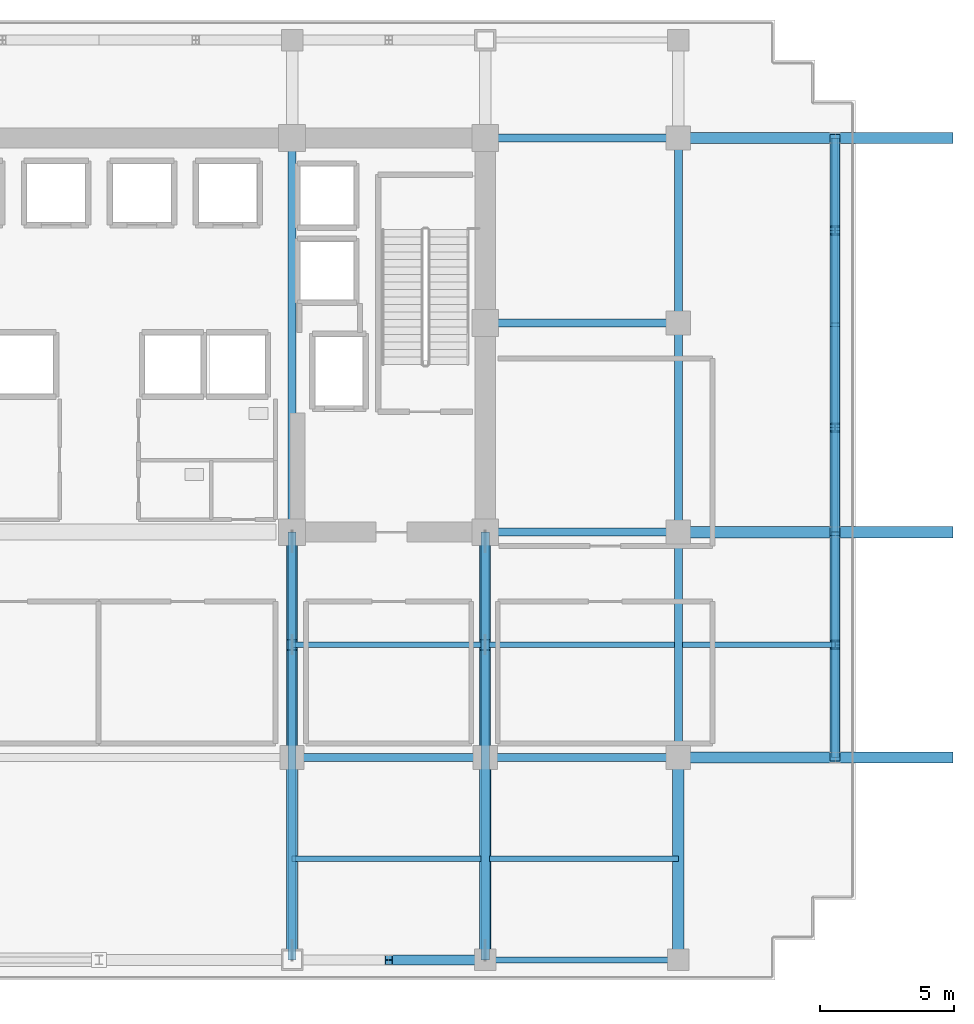
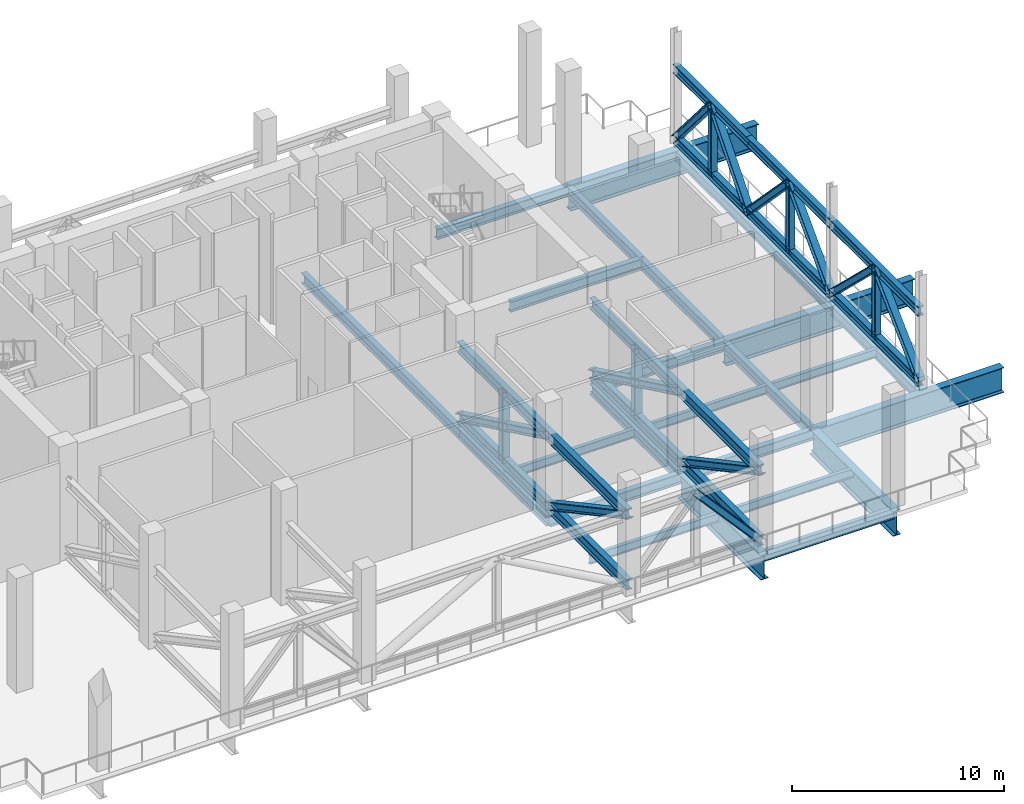
# One storey, part 4 of 15: 26 members, 24 beams.
"""IFC4 building model written with IfcOpenShell, lengths in metres."""

from ifc_helpers import new_model, si_unit, direction, frame, origin, origin_2d, place, context, subcontext, project, spatial, i_section, extrude, source, transform, mapped, material, material_profile, profile_set, type_object, element, save


model = new_model("IFC4")

# Units and contexts
model_context = context("Model", 3, precision=1e-05, world=origin(), true_north=direction((0.0, 1.0)))
body_context = subcontext(model_context, "Body", "Model", "MODEL_VIEW")
ifc_project = project(units=[si_unit("LENGTHUNIT", "METRE"), si_unit("AREAUNIT", "SQUARE_METRE"), si_unit("VOLUMEUNIT", "CUBIC_METRE"), si_unit("PLANEANGLEUNIT", "RADIAN"), si_unit("MASSUNIT", "GRAM", prefix="KILO")], contexts=[model_context])

# Site, building, storey
site_placement = place(None, origin())
site = spatial("IfcSite", under=ifc_project, at=site_placement, CompositionType="ELEMENT")
building_placement = place(site_placement, origin())
building = spatial("IfcBuilding", under=site, at=building_placement, Name="Zarnakvel Exchange Tower", CompositionType="ELEMENT")
storey_placement = place(building_placement, frame((0.0, 0.0, 80.199951171875)))
storey = spatial("IfcBuildingStorey", under=building, at=storey_placement, Name="L22", CompositionType="ELEMENT", Elevation=80.199951171875)

# Beams
ifc_material_1 = material(Name="Steel S355", Category="steel")
ifc_material_profile_1 = material_profile(ifc_material_1, i_section(OverallWidth=0.199951171875, OverallDepth=0.5, WebThickness=0.01025390625, FlangeThickness=0.01611328125, FilletRadius=0.02099609375, at=origin_2d()))
ifc_profile_set_1 = profile_set([ifc_material_profile_1], Name="Steel S355")
beam_type_1 = type_object("IfcBeamType", Name="B-04", PredefinedType="JOIST", material=ifc_profile_set_1)
for number, where, z_axis, x_axis, name in (
    (1, (7.199951171875, -13.375, -0.5), (1.0, 0.0, 0.0), (0.0, 1.0, 0.0), "L22 Composite Floor Secondary Joist"),
    (2, (14.554931640625, -13.375, -0.5), (1.0, 0.0, 0.0), (0.0, 1.0, 0.0), "L22 Composite Floor Secondary Joist"),
):
    element("IfcBeam", number, at=place(storey_placement, frame(where, z_axis=z_axis, x_axis=x_axis)), inside=storey, type_object=beam_type_1, Name=name, PredefinedType="JOIST", context=body_context, shape_type="SweptSolid", body=[
        extrude(i_section(OverallWidth=0.199951171875, OverallDepth=0.5, WebThickness=0.01025390625, FlangeThickness=0.01611328125, FilletRadius=0.02099609375, at=origin_2d()), origin(), (0.0, 0.0, 1.0), 7.045166015625),
    ])
beam_1_placement = place(storey_placement, frame((7.199951171875, -5.39990234375, -0.5), z_axis=(1.0, 0.0, 0.0), x_axis=(0.0, 1.0, 0.0)))
element("IfcBeam", 3, at=beam_1_placement, inside=storey, type_object=beam_type_1, Name="L22 Composite Floor Secondary Joist", PredefinedType="JOIST", context=body_context, shape_type="SweptSolid", body=[
    extrude(i_section(OverallWidth=0.199951171875, OverallDepth=0.5, WebThickness=0.01025390625, FlangeThickness=0.01611328125, FilletRadius=0.02099609375, at=origin_2d()), origin(), (0.0, 0.0, 1.0), 7.050048828125),
])
beam_2_placement = place(storey_placement, frame((14.550048828125, -5.39990234375, -0.5), z_axis=(1.0, 0.0, 0.0), x_axis=(0.0, 1.0, 0.0)))
element("IfcBeam", 4, at=beam_2_placement, inside=storey, type_object=beam_type_1, Name="L22 Composite Floor Secondary Joist", PredefinedType="JOIST", context=body_context, shape_type="SweptSolid", body=[
    extrude(i_section(OverallWidth=0.199951171875, OverallDepth=0.5, WebThickness=0.01025390625, FlangeThickness=0.01611328125, FilletRadius=0.02099609375, at=origin_2d()), origin(), (0.0, 0.0, 1.0), 6.89990234375),
])
beam_3_placement = place(storey_placement, frame((21.75, -5.39990234375, -0.5), z_axis=(1.0, 0.0, 0.0), x_axis=(0.0, 1.0, 0.0)))
element("IfcBeam", 5, at=beam_3_placement, inside=storey, type_object=beam_type_1, Name="L22 Composite Floor Secondary Joist", PredefinedType="JOIST", context=body_context, shape_type="SweptSolid", body=[
    extrude(i_section(OverallWidth=0.199951171875, OverallDepth=0.5, WebThickness=0.01025390625, FlangeThickness=0.01611328125, FilletRadius=0.02099609375, at=origin_2d()), origin(), (0.0, 0.0, 1.0), 5.699951171875),
])
ifc_material_profile_2 = material_profile(ifc_material_1, i_section(OverallWidth=0.300048828125, OverallDepth=0.60009765625, WebThickness=0.015380859375, FlangeThickness=0.030029296875, FilletRadius=0.027099609375, at=origin_2d()))
ifc_profile_set_2 = profile_set([ifc_material_profile_2], Name="Steel S355")
beam_type_2 = type_object("IfcBeamType", Name="G-04", PredefinedType="BEAM", material=ifc_profile_set_2)
beam_4_placement = place(storey_placement, frame((7.199951171875, -9.60009765625, -0.550048828125), z_axis=(1.0, 0.0, 0.0), x_axis=(0.0, 1.0, 0.0)))
element("IfcBeam", 6, at=beam_4_placement, inside=storey, type_object=beam_type_2, Name="L22 Tower E-W Frame Beam", PredefinedType="BEAM", context=body_context, shape_type="SweptSolid", body=[
    extrude(i_section(OverallWidth=0.300048828125, OverallDepth=0.60009765625, WebThickness=0.015380859375, FlangeThickness=0.030029296875, FilletRadius=0.027099609375, at=origin_2d()), origin(), (0.0, 0.0, 1.0), 7.199951171875),
])
for number, where, z_axis, x_axis, name in (
    (7, (14.39990234375, -9.60009765625, -0.550048828125), (1.0, 0.0, 0.0), (0.0, 1.0, 0.0), "L22 Tower E-W Frame Beam"),
    (8, (14.39990234375, -1.199951171875, -0.550048828125), (1.0, 0.0, 0.0), (0.0, 1.0, 0.0), "L22 Tower E-W Frame Beam"),
    (9, (14.39990234375, 6.60009765625, -0.550048828125), (1.0, 0.0, 0.0), (0.0, 1.0, 0.0), "L22 Tower E-W Frame Beam"),
    (10, (14.39990234375, 13.5, -0.550048828125), (1.0, 0.0, 0.0), (0.0, 1.0, 0.0), "L22 Tower E-W Frame Beam"),
):
    element("IfcBeam", number, at=place(storey_placement, frame(where, z_axis=z_axis, x_axis=x_axis)), inside=storey, type_object=beam_type_2, Name=name, PredefinedType="BEAM", context=body_context, shape_type="SweptSolid", body=[
        extrude(i_section(OverallWidth=0.300048828125, OverallDepth=0.60009765625, WebThickness=0.015380859375, FlangeThickness=0.030029296875, FilletRadius=0.027099609375, at=origin_2d()), origin(), (0.0, 0.0, 1.0), 7.2001953125),
    ])
beam_5_placement = place(storey_placement, frame((7.199951171875, -9.60009765625, -0.550048828125), z_axis=(0.0, 1.0, 0.0), x_axis=(-1.0, 0.0, 0.0)))
element("IfcBeam", 11, at=beam_5_placement, inside=storey, type_object=beam_type_2, Name="L22 Tower N-S Frame Beam", PredefinedType="BEAM", context=body_context, shape_type="SweptSolid", body=[
    extrude(i_section(OverallWidth=0.300048828125, OverallDepth=0.60009765625, WebThickness=0.015380859375, FlangeThickness=0.030029296875, FilletRadius=0.027099609375, at=origin_2d()), origin(), (0.0, 0.0, 1.0), 8.400146484375),
])
beam_6_placement = place(storey_placement, frame((7.199951171875, -1.199951171875, -0.550048828125), z_axis=(0.0, 1.0, 0.0), x_axis=(-1.0, 0.0, 0.0)))
element("IfcBeam", 12, at=beam_6_placement, inside=storey, type_object=beam_type_2, Name="L22 Tower N-S Frame Beam", PredefinedType="BEAM", context=body_context, shape_type="SweptSolid", body=[
    extrude(i_section(OverallWidth=0.300048828125, OverallDepth=0.60009765625, WebThickness=0.015380859375, FlangeThickness=0.030029296875, FilletRadius=0.027099609375, at=origin_2d()), origin(), (0.0, 0.0, 1.0), 14.699951171875),
])
for number, where, z_axis, x_axis, name in (
    (13, (14.39990234375, -9.60009765625, -0.550048828125), (0.0, 1.0, 0.0), (-1.0, 0.0, 0.0), "L22 Tower N-S Frame Beam"),
    (14, (21.60009765625, -9.60009765625, -0.550048828125), (0.0, 1.0, 0.0), (-1.0, 0.0, 0.0), "L22 Tower N-S Frame Beam"),
):
    element("IfcBeam", number, at=place(storey_placement, frame(where, z_axis=z_axis, x_axis=x_axis)), inside=storey, type_object=beam_type_2, Name=name, PredefinedType="BEAM", context=body_context, shape_type="SweptSolid", body=[
        extrude(i_section(OverallWidth=0.300048828125, OverallDepth=0.60009765625, WebThickness=0.015380859375, FlangeThickness=0.030029296875, FilletRadius=0.027099609375, at=origin_2d()), origin(), (0.0, 0.0, 1.0), 8.400146484375),
    ])
beam_7_placement = place(storey_placement, frame((21.60009765625, -1.199951171875, -0.550048828125), z_axis=(0.0, 1.0, 0.0), x_axis=(-1.0, 0.0, 0.0)))
element("IfcBeam", 15, at=beam_7_placement, inside=storey, type_object=beam_type_2, Name="L22 Tower N-S Frame Beam", PredefinedType="BEAM", context=body_context, shape_type="SweptSolid", body=[
    extrude(i_section(OverallWidth=0.300048828125, OverallDepth=0.60009765625, WebThickness=0.015380859375, FlangeThickness=0.030029296875, FilletRadius=0.027099609375, at=origin_2d()), origin(), (0.0, 0.0, 1.0), 7.800048828125),
])
beam_8_placement = place(storey_placement, frame((21.60009765625, 6.60009765625, -0.550048828125), z_axis=(0.0, 1.0, 0.0), x_axis=(-1.0, 0.0, 0.0)))
element("IfcBeam", 16, at=beam_8_placement, inside=storey, type_object=beam_type_2, Name="L22 Tower N-S Frame Beam", PredefinedType="BEAM", context=body_context, shape_type="SweptSolid", body=[
    extrude(i_section(OverallWidth=0.300048828125, OverallDepth=0.60009765625, WebThickness=0.015380859375, FlangeThickness=0.030029296875, FilletRadius=0.027099609375, at=origin_2d()), origin(), (0.0, 0.0, 1.0), 6.89990234375),
])
ifc_material_profile_3 = material_profile(ifc_material_1, i_section(OverallWidth=0.219970703125, OverallDepth=0.60009765625, WebThickness=0.011962890625, FlangeThickness=0.01904296875, FilletRadius=0.02392578125, at=origin_2d()))
ifc_profile_set_3 = profile_set([ifc_material_profile_3], Name="Steel S355")
beam_type_3 = type_object("IfcBeamType", Name="SP-01", PredefinedType="SPANDREL", material=ifc_profile_set_3)
beam_9_placement = place(storey_placement, frame((14.39990234375, -17.14990234375, -0.550048828125), z_axis=(1.0, 0.0, 0.0), x_axis=(0.0, 1.0, 0.0)))
element("IfcBeam", 17, at=beam_9_placement, inside=storey, type_object=beam_type_3, Name="L22 Tower E-W Frame Beam", PredefinedType="SPANDREL", context=body_context, shape_type="SweptSolid", body=[
    extrude(i_section(OverallWidth=0.219970703125, OverallDepth=0.60009765625, WebThickness=0.011962890625, FlangeThickness=0.01904296875, FilletRadius=0.02392578125, at=origin_2d()), origin(), (0.0, 0.0, 1.0), 7.2001953125),
])
beam_10_placement = place(storey_placement, frame((27.449951171875, -9.60009765625, -0.550048828125), z_axis=(0.0, 1.0, 0.0), x_axis=(-1.0, 0.0, 0.0)))
element("IfcBeam", 18, at=beam_10_placement, inside=storey, type_object=beam_type_3, Name="L22 Tower N-S Frame Beam", PredefinedType="SPANDREL", context=body_context, shape_type="SweptSolid", body=[
    extrude(i_section(OverallWidth=0.219970703125, OverallDepth=0.60009765625, WebThickness=0.011962890625, FlangeThickness=0.01904296875, FilletRadius=0.02392578125, at=origin_2d()), origin(), (0.0, 0.0, 1.0), 8.400146484375),
])
beam_11_placement = place(storey_placement, frame((27.449951171875, -1.199951171875, -0.550048828125), z_axis=(0.0, 1.0, 0.0), x_axis=(-1.0, 0.0, 0.0)))
element("IfcBeam", 19, at=beam_11_placement, inside=storey, type_object=beam_type_3, Name="L22 Tower N-S Frame Beam", PredefinedType="SPANDREL", context=body_context, shape_type="SweptSolid", body=[
    extrude(i_section(OverallWidth=0.219970703125, OverallDepth=0.60009765625, WebThickness=0.011962890625, FlangeThickness=0.01904296875, FilletRadius=0.02392578125, at=origin_2d()), origin(), (0.0, 0.0, 1.0), 14.699951171875),
])
ifc_material_2 = material(Name="Steel S460", Category="steel")
ifc_material_profile_4 = material_profile(ifc_material_2, i_section(OverallWidth=0.419921875, OverallDepth=1.449951171875, WebThickness=0.02392578125, FlangeThickness=0.0400390625, FilletRadius=0.030029296875, at=origin_2d()))
ifc_profile_set_4 = profile_set([ifc_material_profile_4], Name="Steel S460")
beam_type_4 = type_object("IfcBeamType", Name="TG-01", PredefinedType="BEAM", material=ifc_profile_set_4)
for number, where, z_axis, x_axis, name in (
    (20, (14.39990234375, -17.449951171875, -0.974853515625), (0.0, 1.0, 0.0), (-1.0, 0.0, 0.0), "L22 Setback N-S Transfer Girder TS-9"),
    (21, (21.60009765625, -17.449951171875, -0.974853515625), (0.0, 1.0, 0.0), (-1.0, 0.0, 0.0), "L22 Setback N-S Transfer Girder TS-10"),
):
    element("IfcBeam", number, at=place(storey_placement, frame(where, z_axis=z_axis, x_axis=x_axis)), inside=storey, type_object=beam_type_4, Name=name, PredefinedType="BEAM", context=body_context, shape_type="SweptSolid", body=[
        extrude(i_section(OverallWidth=0.419921875, OverallDepth=1.449951171875, WebThickness=0.02392578125, FlangeThickness=0.0400390625, FilletRadius=0.030029296875, at=origin_2d()), origin(), (0.0, 0.0, 1.0), 7.849853515625),
    ])
for number, where, z_axis, x_axis, name in (
    (22, (21.60009765625, -9.60009765625, -0.974853515625), (1.0, 0.0, 0.0), (0.0, 1.0, 0.0), "L22 Setback E-W Transfer Girder TE-C"),
    (23, (21.60009765625, -1.199951171875, -0.974853515625), (1.0, 0.0, 0.0), (0.0, 1.0, 0.0), "L22 Setback E-W Transfer Girder TE-D"),
    (24, (21.60009765625, 13.5, -0.974853515625), (1.0, 0.0, 0.0), (0.0, 1.0, 0.0), "L22 Setback E-W Transfer Girder TE-F"),
):
    element("IfcBeam", number, at=place(storey_placement, frame(where, z_axis=z_axis, x_axis=x_axis)), inside=storey, type_object=beam_type_4, Name=name, PredefinedType="BEAM", context=body_context, shape_type="SweptSolid", body=[
        extrude(i_section(OverallWidth=0.419921875, OverallDepth=1.449951171875, WebThickness=0.02392578125, FlangeThickness=0.0400390625, FilletRadius=0.030029296875, at=origin_2d()), origin(), (0.0, 0.0, 1.0), 10.25),
    ])

# Members
ifc_material_profile_5 = material_profile(ifc_material_2, i_section(OverallWidth=0.304931640625, OverallDepth=0.6201171875, WebThickness=0.02099609375, FlangeThickness=0.0400390625, FilletRadius=0.027099609375, at=origin_2d()))
ifc_profile_set_5 = profile_set([ifc_material_profile_5], Name="Steel S460")
member_type_1 = type_object("IfcMemberType", Name="OT-02", PredefinedType="CHORD", material=ifc_profile_set_5)
shared_shape_1 = source(origin(), body_context, "Body", "SweptSolid", [
    extrude(i_section(OverallWidth=0.304931640625, OverallDepth=0.6201171875, WebThickness=0.02099609375, FlangeThickness=0.0400390625, FilletRadius=0.027099609375, at=origin_2d()), origin(), (0.0, 0.0, 1.0), 15.949951171875),
])
for number, where, z_axis, x_axis, name in (
    (25, (7.199951171875, -17.14990234375, 0.35009765625), (0.0, 1.0, 0.0), (-1.0, 0.0, 0.0), "L22 Outrigger Bottom Chord Grid 8"),
    (26, (7.199951171875, -17.14990234375, 4.400146484375), (0.0, 1.0, 0.0), (-1.0, 0.0, 0.0), "L22 Outrigger Top Chord Grid 8"),
    (27, (14.39990234375, -17.14990234375, 0.35009765625), (0.0, 1.0, 0.0), (-1.0, 0.0, 0.0), "L22 Outrigger Bottom Chord Grid 9"),
    (28, (14.39990234375, -17.14990234375, 4.400146484375), (0.0, 1.0, 0.0), (-1.0, 0.0, 0.0), "L22 Outrigger Top Chord Grid 9"),
):
    element("IfcMember", number, at=place(storey_placement, frame(where, z_axis=z_axis, x_axis=x_axis)), inside=storey, type_object=member_type_1, Name=name, PredefinedType="CHORD", context=body_context, shape_type="MappedRepresentation", body=[
        mapped(shared_shape_1, transform((0.0, 0.0, 0.0), x_axis=(1.0, 0.0, 0.0), y_axis=(0.0, 1.0, 0.0), z_axis=(0.0, 0.0, 1.0), scale=1.0)),
    ])
ifc_material_profile_6 = material_profile(ifc_material_2, i_section(OverallWidth=0.404052734375, OverallDepth=0.406982421875, WebThickness=0.0224609375, FlangeThickness=0.031982421875, FilletRadius=0.014892578125, at=origin_2d()))
ifc_profile_set_6 = profile_set([ifc_material_profile_6], Name="Steel S460")
member_type_2 = type_object("IfcMemberType", Name="OT-03", PredefinedType="STRUT", material=ifc_profile_set_6)
shared_shape_2 = source(origin(), body_context, "Body", "SweptSolid", [
    extrude(i_section(OverallWidth=0.404052734375, OverallDepth=0.406982421875, WebThickness=0.0224609375, FlangeThickness=0.031982421875, FilletRadius=0.014892578125, at=origin_2d()), origin(), (0.0, 0.0, 1.0), 4.050048828125),
])
for number, where, z_axis, x_axis, name in (
    (29, (7.199951171875, -5.39990234375, 0.35009765625), (0.0, 0.0, 1.0), (1.0, 0.0, 0.0), "L22 Outrigger Web Post Grid 8"),
    (30, (14.39990234375, -5.39990234375, 0.35009765625), (0.0, 0.0, 1.0), (1.0, 0.0, 0.0), "L22 Outrigger Web Post Grid 9"),
):
    element("IfcMember", number, at=place(storey_placement, frame(where, z_axis=z_axis, x_axis=x_axis)), inside=storey, type_object=member_type_2, Name=name, PredefinedType="STRUT", context=body_context, shape_type="MappedRepresentation", body=[
        mapped(shared_shape_2, transform((0.0, 0.0, 0.0), x_axis=(1.0, 0.0, 0.0), y_axis=(0.0, 1.0, 0.0), z_axis=(0.0, 0.0, 1.0), scale=1.0)),
    ])
ifc_material_profile_7 = material_profile(ifc_material_2, i_section(OverallWidth=0.412109375, OverallDepth=0.425048828125, WebThickness=0.02587890625, FlangeThickness=0.0390625, FilletRadius=0.014892578125, at=origin_2d()))
ifc_profile_set_7 = profile_set([ifc_material_profile_7], Name="Steel S460")
member_type_3 = type_object("IfcMemberType", Name="OT-01", PredefinedType="BRACE", material=ifc_profile_set_7)
shared_shape_3 = source(origin(), body_context, "Body", "SweptSolid", [
    extrude(i_section(OverallWidth=0.412109375, OverallDepth=0.425048828125, WebThickness=0.02587890625, FlangeThickness=0.0390625, FilletRadius=0.014892578125, at=origin_2d()), origin(), (0.0, 0.0, 1.0), 9.325439453125),
])
for number, where, z_axis, x_axis, name in (
    (31, (7.199951171875, -1.199951171875, 0.35009765625), (0.0, -0.900769595798, 0.43429728906), (1.0, 0.0, 0.0), "L22 Outrigger Inner Diagonal 1 Grid 8"),
    (32, (14.39990234375, -1.199951171875, 0.35009765625), (0.0, -0.900769595798, 0.43429728906), (1.0, 0.0, 0.0), "L22 Outrigger Inner Diagonal 1 Grid 9"),
):
    element("IfcMember", number, at=place(storey_placement, frame(where, z_axis=z_axis, x_axis=x_axis)), inside=storey, type_object=member_type_3, Name=name, PredefinedType="BRACE", context=body_context, shape_type="MappedRepresentation", body=[
        mapped(shared_shape_3, transform((0.0, 0.0, 0.0), x_axis=(1.0, 0.0, 0.0), y_axis=(0.0, 1.0, 0.0), z_axis=(0.0, 0.0, 1.0), scale=1.0)),
    ])
shared_shape_4 = source(origin(), body_context, "Body", "SweptSolid", [
    extrude(i_section(OverallWidth=0.412109375, OverallDepth=0.425048828125, WebThickness=0.02587890625, FlangeThickness=0.0390625, FilletRadius=0.014892578125, at=origin_2d()), origin(), (0.0, 0.0, 1.0), 8.567626953125),
])
for number, where, z_axis, x_axis, name in (
    (33, (7.199951171875, -9.60009765625, 0.35009765625), (0.0, -0.881212095321, 0.472721104944), (1.0, 0.0, 0.0), "L22 Outrigger Outer Diagonal 2 Grid 8"),
    (34, (14.39990234375, -9.60009765625, 0.35009765625), (0.0, -0.881212095321, 0.472721104944), (1.0, 0.0, 0.0), "L22 Outrigger Outer Diagonal 2 Grid 9"),
):
    element("IfcMember", number, at=place(storey_placement, frame(where, z_axis=z_axis, x_axis=x_axis)), inside=storey, type_object=member_type_3, Name=name, PredefinedType="BRACE", context=body_context, shape_type="MappedRepresentation", body=[
        mapped(shared_shape_4, transform((0.0, 0.0, 0.0), x_axis=(1.0, 0.0, 0.0), y_axis=(0.0, 1.0, 0.0), z_axis=(0.0, 0.0, 1.0), scale=1.0)),
    ])
ifc_material_profile_8 = material_profile(ifc_material_1, i_section(OverallWidth=0.30908203125, OverallDepth=0.35888671875, WebThickness=0.02099609375, FlangeThickness=0.033935546875, FilletRadius=0.014892578125, at=origin_2d()))
ifc_profile_set_8 = profile_set([ifc_material_profile_8], Name="Steel S355")
member_type_4 = type_object("IfcMemberType", Name="BT-03", PredefinedType="STRUT", material=ifc_profile_set_8)
shared_shape_5 = source(origin(), body_context, "Body", "SweptSolid", [
    extrude(i_section(OverallWidth=0.30908203125, OverallDepth=0.35888671875, WebThickness=0.02099609375, FlangeThickness=0.033935546875, FilletRadius=0.014892578125, at=origin_2d()), origin(), (0.0, 0.0, 1.0), 4.050048828125),
])
for number, where, z_axis, x_axis, name in (
    (35, (27.449951171875, -5.39990234375, 0.35009765625), (0.0, 0.0, 1.0), (1.0, 0.0, 0.0), "L22 Belt Truss Vertical Post E-1"),
    (36, (27.449951171875, 2.699951171875, 0.35009765625), (0.0, 0.0, 1.0), (1.0, 0.0, 0.0), "L22 Belt Truss Vertical Post E-2"),
    (37, (27.449951171875, 10.050048828125, 0.35009765625), (0.0, 0.0, 1.0), (1.0, 0.0, 0.0), "L22 Belt Truss Vertical Post E-3"),
):
    element("IfcMember", number, at=place(storey_placement, frame(where, z_axis=z_axis, x_axis=x_axis)), inside=storey, type_object=member_type_4, Name=name, PredefinedType="STRUT", context=body_context, shape_type="MappedRepresentation", body=[
        mapped(shared_shape_5, transform((0.0, 0.0, 0.0), x_axis=(1.0, 0.0, 0.0), y_axis=(0.0, 1.0, 0.0), z_axis=(0.0, 0.0, 1.0), scale=1.0)),
    ])
ifc_material_profile_9 = material_profile(ifc_material_1, i_section(OverallWidth=0.3740234375, OverallDepth=0.364013671875, WebThickness=0.01806640625, FlangeThickness=0.027587890625, FilletRadius=0.014892578125, at=origin_2d()))
ifc_profile_set_9 = profile_set([ifc_material_profile_9], Name="Steel S355")
member_type_5 = type_object("IfcMemberType", Name="BT-01", PredefinedType="BRACE", material=ifc_profile_set_9)
shared_shape_6 = source(origin(), body_context, "Body", "SweptSolid", [
    extrude(i_section(OverallWidth=0.3740234375, OverallDepth=0.364013671875, WebThickness=0.01806640625, FlangeThickness=0.027587890625, FilletRadius=0.014892578125, at=origin_2d()), origin(), (0.0, 0.0, 1.0), 5.418701171875),
])
member_1_placement = place(storey_placement, frame((14.39990234375, -17.14990234375, 0.35009765625), z_axis=(-0.664344262737, 0.0, 0.747426719196), x_axis=(0.0, -1.0, 0.0)))
element("IfcMember", 38, at=member_1_placement, inside=storey, type_object=member_type_5, Name="L22 Belt Truss Chevron Right S-E1", PredefinedType="BRACE", context=body_context, shape_type="MappedRepresentation", body=[
    mapped(shared_shape_6, transform((0.0, 0.0, 0.0), x_axis=(1.0, 0.0, 0.0), y_axis=(0.0, 1.0, 0.0), z_axis=(0.0, 0.0, 1.0), scale=1.0)),
])
ifc_material_profile_10 = material_profile(ifc_material_1, i_section(OverallWidth=0.305908203125, OverallDepth=0.52392578125, WebThickness=0.02099609375, FlangeThickness=0.0400390625, FilletRadius=0.027099609375, at=origin_2d()))
ifc_profile_set_10 = profile_set([ifc_material_profile_10], Name="Steel S355")
member_type_6 = type_object("IfcMemberType", Name="BT-02", PredefinedType="CHORD", material=ifc_profile_set_10)
shared_shape_7 = source(origin(), body_context, "Body", "SweptSolid", [
    extrude(i_section(OverallWidth=0.305908203125, OverallDepth=0.52392578125, WebThickness=0.02099609375, FlangeThickness=0.0400390625, FilletRadius=0.027099609375, at=origin_2d()), origin(), (0.0, 0.0, 1.0), 8.400146484375),
])
for number, where, z_axis, x_axis, name in (
    (39, (27.449951171875, -9.60009765625, 0.35009765625), (0.0, 1.0, 0.0), (-1.0, 0.0, 0.0), "L22 Belt Truss Bottom Chord E-1"),
    (40, (27.449951171875, -9.60009765625, 4.400146484375), (0.0, 1.0, 0.0), (-1.0, 0.0, 0.0), "L22 Belt Truss Top Chord E-1"),
):
    element("IfcMember", number, at=place(storey_placement, frame(where, z_axis=z_axis, x_axis=x_axis)), inside=storey, type_object=member_type_6, Name=name, PredefinedType="CHORD", context=body_context, shape_type="MappedRepresentation", body=[
        mapped(shared_shape_7, transform((0.0, 0.0, 0.0), x_axis=(1.0, 0.0, 0.0), y_axis=(0.0, 1.0, 0.0), z_axis=(0.0, 0.0, 1.0), scale=1.0)),
    ])
shared_shape_8 = source(origin(), body_context, "Body", "SweptSolid", [
    extrude(i_section(OverallWidth=0.3740234375, OverallDepth=0.364013671875, WebThickness=0.01806640625, FlangeThickness=0.027587890625, FilletRadius=0.014892578125, at=origin_2d()), origin(), (0.0, 0.0, 1.0), 5.834716796875),
])
member_2_placement = place(storey_placement, frame((27.449951171875, -9.60009765625, 0.35009765625), z_axis=(0.0, 0.719856242377, 0.694123180934), x_axis=(-1.0, 0.0, 0.0)))
element("IfcMember", 41, at=member_2_placement, inside=storey, type_object=member_type_5, Name="L22 Belt Truss Chevron Left E-1", PredefinedType="BRACE", context=body_context, shape_type="MappedRepresentation", body=[
    mapped(shared_shape_8, transform((0.0, 0.0, 0.0), x_axis=(1.0, 0.0, 0.0), y_axis=(0.0, 1.0, 0.0), z_axis=(0.0, 0.0, 1.0), scale=1.0)),
])
shared_shape_9 = source(origin(), body_context, "Body", "SweptSolid", [
    extrude(i_section(OverallWidth=0.3740234375, OverallDepth=0.364013671875, WebThickness=0.01806640625, FlangeThickness=0.027587890625, FilletRadius=0.014892578125, at=origin_2d()), origin(), (0.0, 0.0, 1.0), 5.83447265625),
])
member_3_placement = place(storey_placement, frame((27.449951171875, -1.199951171875, 0.35009765625), z_axis=(0.0, -0.719836081517, 0.694144088606), x_axis=(1.0, 0.0, 0.0)))
element("IfcMember", 42, at=member_3_placement, inside=storey, type_object=member_type_5, Name="L22 Belt Truss Chevron Right E-1", PredefinedType="BRACE", context=body_context, shape_type="MappedRepresentation", body=[
    mapped(shared_shape_9, transform((0.0, 0.0, 0.0), x_axis=(1.0, 0.0, 0.0), y_axis=(0.0, 1.0, 0.0), z_axis=(0.0, 0.0, 1.0), scale=1.0)),
])
shared_shape_10 = source(origin(), body_context, "Body", "SweptSolid", [
    extrude(i_section(OverallWidth=0.305908203125, OverallDepth=0.52392578125, WebThickness=0.02099609375, FlangeThickness=0.0400390625, FilletRadius=0.027099609375, at=origin_2d()), origin(), (0.0, 0.0, 1.0), 7.800048828125),
])
for number, where, z_axis, x_axis, name in (
    (43, (27.449951171875, -1.199951171875, 0.35009765625), (0.0, 1.0, 0.0), (-1.0, 0.0, 0.0), "L22 Belt Truss Bottom Chord E-2"),
    (44, (27.449951171875, -1.199951171875, 4.400146484375), (0.0, 1.0, 0.0), (-1.0, 0.0, 0.0), "L22 Belt Truss Top Chord E-2"),
):
    element("IfcMember", number, at=place(storey_placement, frame(where, z_axis=z_axis, x_axis=x_axis)), inside=storey, type_object=member_type_6, Name=name, PredefinedType="CHORD", context=body_context, shape_type="MappedRepresentation", body=[
        mapped(shared_shape_10, transform((0.0, 0.0, 0.0), x_axis=(1.0, 0.0, 0.0), y_axis=(0.0, 1.0, 0.0), z_axis=(0.0, 0.0, 1.0), scale=1.0)),
    ])
shared_shape_11 = source(origin(), body_context, "Body", "SweptSolid", [
    extrude(i_section(OverallWidth=0.3740234375, OverallDepth=0.364013671875, WebThickness=0.01806640625, FlangeThickness=0.027587890625, FilletRadius=0.014892578125, at=origin_2d()), origin(), (0.0, 0.0, 1.0), 5.62255859375),
])
for number, where, z_axis, x_axis, name in (
    (45, (27.449951171875, -1.199951171875, 0.35009765625), (0.0, 0.693628335739, 0.720333070087), (-1.0, 0.0, 0.0), "L22 Belt Truss Chevron Left E-2"),
    (46, (27.449951171875, 6.60009765625, 0.35009765625), (0.0, -0.693650865689, 0.720311374705), (1.0, 0.0, 0.0), "L22 Belt Truss Chevron Right E-2"),
):
    element("IfcMember", number, at=place(storey_placement, frame(where, z_axis=z_axis, x_axis=x_axis)), inside=storey, type_object=member_type_5, Name=name, PredefinedType="BRACE", context=body_context, shape_type="MappedRepresentation", body=[
        mapped(shared_shape_11, transform((0.0, 0.0, 0.0), x_axis=(1.0, 0.0, 0.0), y_axis=(0.0, 1.0, 0.0), z_axis=(0.0, 0.0, 1.0), scale=1.0)),
    ])
shared_shape_12 = source(origin(), body_context, "Body", "SweptSolid", [
    extrude(i_section(OverallWidth=0.305908203125, OverallDepth=0.52392578125, WebThickness=0.02099609375, FlangeThickness=0.0400390625, FilletRadius=0.027099609375, at=origin_2d()), origin(), (0.0, 0.0, 1.0), 6.89990234375),
])
for number, where, z_axis, x_axis, name in (
    (47, (27.449951171875, 6.60009765625, 0.35009765625), (0.0, 1.0, 0.0), (-1.0, 0.0, 0.0), "L22 Belt Truss Bottom Chord E-3"),
    (48, (27.449951171875, 6.60009765625, 4.400146484375), (0.0, 1.0, 0.0), (-1.0, 0.0, 0.0), "L22 Belt Truss Top Chord E-3"),
):
    element("IfcMember", number, at=place(storey_placement, frame(where, z_axis=z_axis, x_axis=x_axis)), inside=storey, type_object=member_type_6, Name=name, PredefinedType="CHORD", context=body_context, shape_type="MappedRepresentation", body=[
        mapped(shared_shape_12, transform((0.0, 0.0, 0.0), x_axis=(1.0, 0.0, 0.0), y_axis=(0.0, 1.0, 0.0), z_axis=(0.0, 0.0, 1.0), scale=1.0)),
    ])
shared_shape_13 = source(origin(), body_context, "Body", "SweptSolid", [
    extrude(i_section(OverallWidth=0.3740234375, OverallDepth=0.364013671875, WebThickness=0.01806640625, FlangeThickness=0.027587890625, FilletRadius=0.014892578125, at=origin_2d()), origin(), (0.0, 0.0, 1.0), 5.3203125),
])
for number, where, z_axis, x_axis, name in (
    (49, (27.449951171875, 6.60009765625, 0.35009765625), (0.0, 0.648456606568, 0.761251620293), (-1.0, 0.0, 0.0), "L22 Belt Truss Chevron Left E-3"),
    (50, (27.449951171875, 13.5, 0.35009765625), (0.0, -0.648456606568, 0.761251620293), (1.0, 0.0, 0.0), "L22 Belt Truss Chevron Right E-3"),
):
    element("IfcMember", number, at=place(storey_placement, frame(where, z_axis=z_axis, x_axis=x_axis)), inside=storey, type_object=member_type_5, Name=name, PredefinedType="BRACE", context=body_context, shape_type="MappedRepresentation", body=[
        mapped(shared_shape_13, transform((0.0, 0.0, 0.0), x_axis=(1.0, 0.0, 0.0), y_axis=(0.0, 1.0, 0.0), z_axis=(0.0, 0.0, 1.0), scale=1.0)),
    ])

save(model, "model.ifc")
